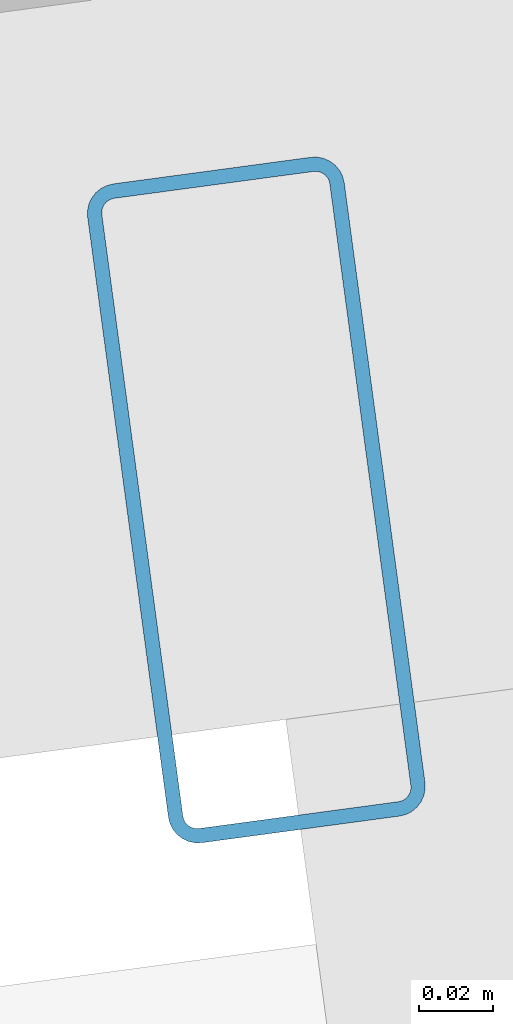
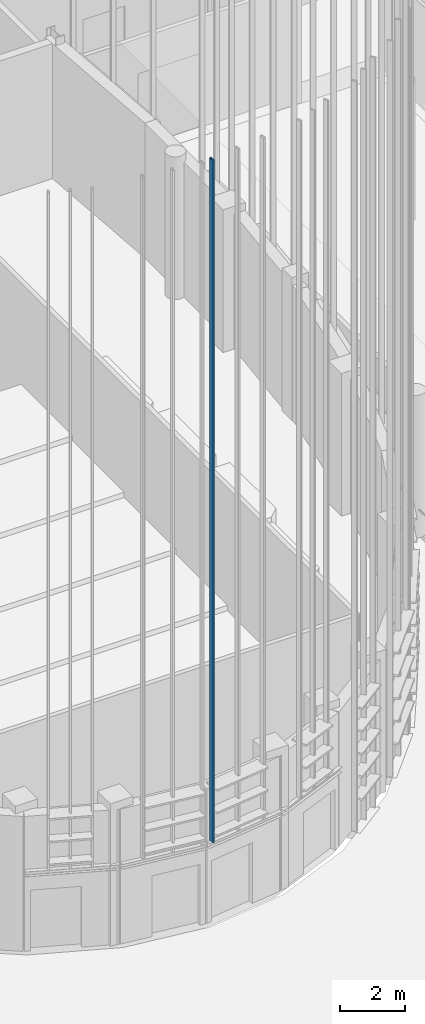
# One storey, part 35 of 372: 1 member.
"""IFC4 building model written with IfcOpenShell, lengths in metres."""

from ifc_helpers import new_model, si_unit, direction, frame, origin, origin_2d, place, context, subcontext, project, spatial, hollow_rectangle, extrude, material, material_profile, profile_set, type_object, element, save


model = new_model("IFC4")

# Units and contexts
model_context = context("Model", 3, precision=1e-05, world=origin(), true_north=direction((0.0, 1.0)))
body_context = subcontext(model_context, "Body", "Model", "MODEL_VIEW")
ifc_project = project(units=[si_unit("LENGTHUNIT", "METRE"), si_unit("AREAUNIT", "SQUARE_METRE"), si_unit("VOLUMEUNIT", "CUBIC_METRE"), si_unit("PLANEANGLEUNIT", "RADIAN"), si_unit("MASSUNIT", "GRAM", prefix="KILO")], contexts=[model_context])

# Site, building, storey
site_placement = place(None, origin())
site = spatial("IfcSite", under=ifc_project, at=site_placement, CompositionType="ELEMENT")
building_placement = place(site_placement, origin())
building = spatial("IfcBuilding", under=site, at=building_placement, Name="Kaelora Sail Theatre", CompositionType="ELEMENT")
storey_placement = place(building_placement, origin())
storey = spatial("IfcBuildingStorey", under=building, at=storey_placement, Name="L00", CompositionType="ELEMENT", Elevation=0.0)

# Member
ifc_material = material(Name="Anodised aluminium 6063-T6", Category="aluminium")
ifc_material_profile = material_profile(ifc_material, hollow_rectangle(XDim=0.070068359375, YDim=0.179931640625, WallThickness=0.00390625, InnerFilletRadius=0.00390625, OuterFilletRadius=0.008056640625, at=origin_2d()), Name="ALU-MULL 70x180x4")
ifc_profile_set = profile_set([ifc_material_profile], Name="Anodised aluminium 6063-T6")
member_type = type_object("IfcMemberType", Name="ARC-MEM-PST-160", PredefinedType="POST", material=ifc_profile_set)
member_placement = place(storey_placement, frame((42.177978515625, 23.561279296875, 3.10009765625), z_axis=(0.0, 0.0, 1.0), x_axis=(-0.991053218872, -0.133467289485, 0.0)))
element("IfcMember", 1, at=member_placement, inside=storey, type_object=member_type, Name="Main Theatre Sail Drum solar louvre vertical support post C11-3", PredefinedType="POST", context=body_context, shape_type="SweptSolid", body=[
    extrude(hollow_rectangle(XDim=0.070068359375, YDim=0.179931640625, WallThickness=0.00390625, InnerFilletRadius=0.00390625, OuterFilletRadius=0.008056640625, at=origin_2d()), origin(), (0.0, 0.0, 1.0), 25.814453125),
])

save(model, "model.ifc")
